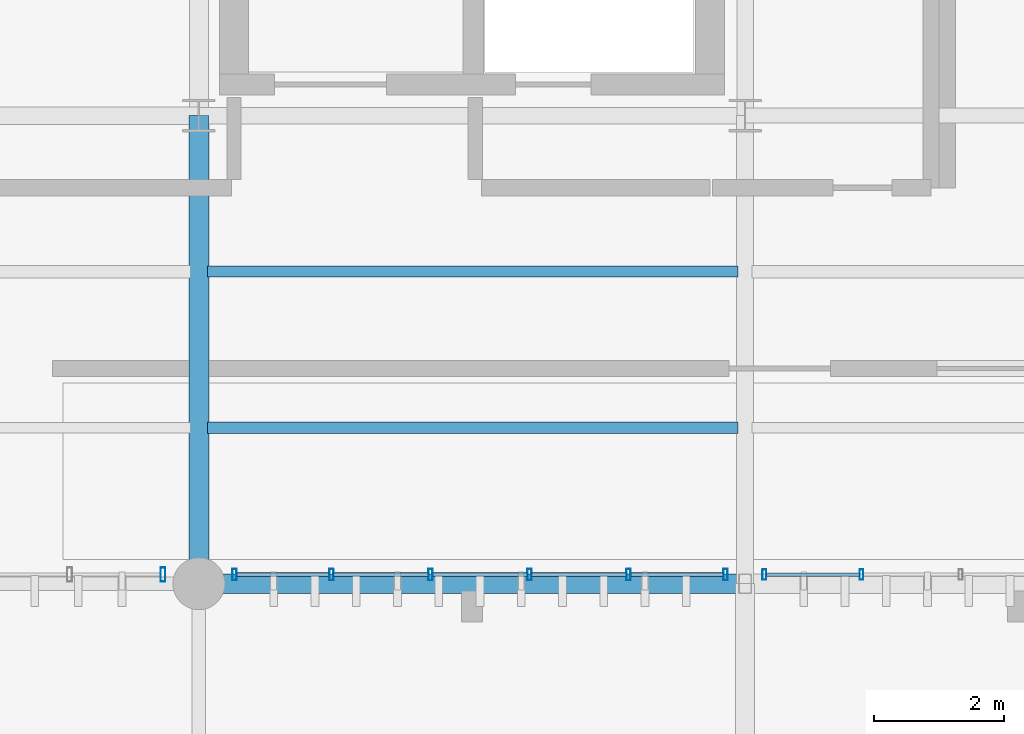
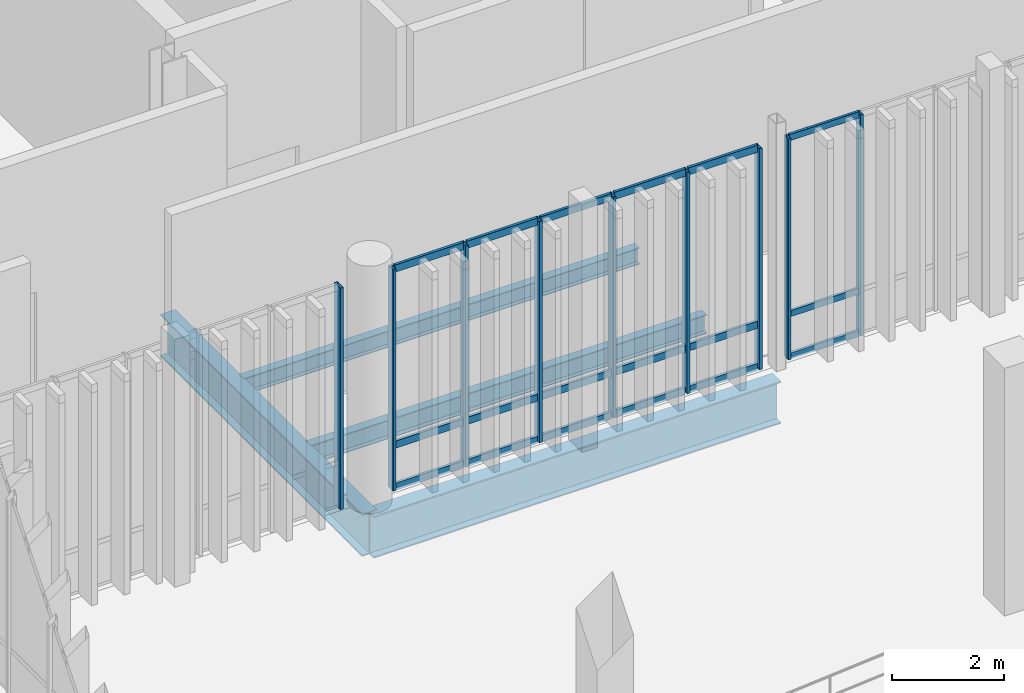
# One storey, part 35 of 112: 27 members, 4 beams, 3 elements without a shape of their own.
"""IFC4 building model written with IfcOpenShell, lengths in metres."""

from ifc_helpers import new_model, si_unit, direction, frame, origin_with_axes, origin_2d_with_axis, place, context, subcontext, project, spatial, hollow_rectangle, i_section, extrude, material, material_profile, profile_set, type_object, element, aggregate, save


model = new_model("IFC4")

# Units and contexts
model_context = context("Model", 3, precision=1e-05, world=origin_with_axes(), true_north=direction((0.0, 1.0)))
body_context = subcontext(model_context, "Body", "Model", "MODEL_VIEW")
ifc_project = project(units=[si_unit("LENGTHUNIT", "METRE"), si_unit("AREAUNIT", "SQUARE_METRE"), si_unit("VOLUMEUNIT", "CUBIC_METRE"), si_unit("PLANEANGLEUNIT", "RADIAN"), si_unit("MASSUNIT", "GRAM", prefix="KILO"), si_unit("THERMODYNAMICTEMPERATUREUNIT", "KELVIN")], contexts=[model_context])

# Site, building, storey
site_placement = place(None, origin_with_axes())
site = spatial("IfcSite", under=ifc_project, at=site_placement, CompositionType="ELEMENT")
building_placement = place(site_placement, origin_with_axes())
building = spatial("IfcBuilding", under=site, at=building_placement, Name="Montbau Bow Law Courts", CompositionType="ELEMENT")
storey_placement = place(building_placement, origin_with_axes())
storey = spatial("IfcBuildingStorey", under=building, at=storey_placement, Name="L00", CompositionType="ELEMENT", Elevation=0.0)

# Beams
ifc_material_1 = material(Name="Steel CSA G40.21 Grade 350W (350 MPa)", Category="steel")
ifc_material_profile_1 = material_profile(ifc_material_1, i_section(OverallWidth=0.306, OverallDepth=0.919, WebThickness=0.0173, FlangeThickness=0.0279, at=origin_2d_with_axis()), Name="W920X253", Category="Main", Priority=0)
ifc_profile_set_1 = profile_set([ifc_material_profile_1], Name="Steel CSA G40.21 Grade 350W (350 MPa)")
beam_type_1 = type_object("IfcBeamType", Name="B-FLR-01", PredefinedType="BEAM", material=ifc_profile_set_1)
beam_1_placement = place(None, frame((55.2, 39.0, -0.7), z_axis=(1.0, 0.0, 0.0), x_axis=(0.0, 1.0, 0.0)))
element("IfcBeam", 1, at=beam_1_placement, inside=storey, type_object=beam_type_1, Name="BM-L00-S0189:bm2_0192", PredefinedType="BEAM", context=body_context, shape_type="SweptSolid", body=[
    extrude(i_section(OverallWidth=0.306, OverallDepth=0.919, WebThickness=0.0173, FlangeThickness=0.0279, at=origin_2d_with_axis()), origin_with_axes(), (0.0, 0.0, 1.0), 8.4),
])
beam_2_placement = place(None, frame((55.2, 39.0, -0.7), z_axis=(0.0, 1.0, 0.0), x_axis=(-1.0, 0.0, 0.0)))
element("IfcBeam", 2, at=beam_2_placement, inside=storey, type_object=beam_type_1, Name="BM-L00-S0277:bm2_0280", PredefinedType="BEAM", context=body_context, shape_type="SweptSolid", body=[
    extrude(i_section(OverallWidth=0.306, OverallDepth=0.919, WebThickness=0.0173, FlangeThickness=0.0279, at=origin_2d_with_axis()), origin_with_axes(), (0.0, 0.0, 1.0), 7.2),
])
ifc_material_profile_2 = material_profile(ifc_material_1, i_section(OverallWidth=0.179, OverallDepth=0.41, WebThickness=0.0088, FlangeThickness=0.0144, at=origin_2d_with_axis()), Name="W410X67", Category="Main", Priority=0)
ifc_profile_set_2 = profile_set([ifc_material_profile_2], Name="Steel CSA G40.21 Grade 350W (350 MPa)")
beam_type_2 = type_object("IfcBeamType", Name="B-JST-02", PredefinedType="JOIST", material=ifc_profile_set_2)
beam_3_placement = place(None, frame((55.329, 41.4, -0.445), z_axis=(1.0, 0.0, 0.0), x_axis=(0.0, 1.0, 0.0)))
element("IfcBeam", 3, at=beam_3_placement, inside=storey, type_object=beam_type_2, Name="JST-L00-S0057:jst2_0057", PredefinedType="JOIST", context=body_context, shape_type="SweptSolid", body=[
    extrude(i_section(OverallWidth=0.179, OverallDepth=0.41, WebThickness=0.0088, FlangeThickness=0.0144, at=origin_2d_with_axis()), origin_with_axes(), (0.0, 0.0, 1.0), 8.162),
])
ifc_material_profile_3 = material_profile(ifc_material_1, i_section(OverallWidth=0.172, OverallDepth=0.358, WebThickness=0.0079, FlangeThickness=0.0131, at=origin_2d_with_axis()), Name="W360X57", Category="Main", Priority=0)
ifc_profile_set_3 = profile_set([ifc_material_profile_3], Name="Steel CSA G40.21 Grade 350W (350 MPa)")
beam_type_3 = type_object("IfcBeamType", Name="B-JST-03", PredefinedType="JOIST", material=ifc_profile_set_3)
beam_4_placement = place(None, frame((55.329, 43.8, -0.419), z_axis=(1.0, 0.0, 0.0), x_axis=(0.0, 1.0, 0.0)))
element("IfcBeam", 4, at=beam_4_placement, inside=storey, type_object=beam_type_3, Name="JST-L00-S0058:jst2_0058", PredefinedType="JOIST", context=body_context, shape_type="SweptSolid", body=[
    extrude(i_section(OverallWidth=0.172, OverallDepth=0.358, WebThickness=0.0079, FlangeThickness=0.0131, at=origin_2d_with_axis()), origin_with_axes(), (0.0, 0.0, 1.0), 8.162),
])

# Curtain wall, member
ifc_material_2 = material(Name="Thermally Broken Extruded Aluminium AA 6063-T6", Category="aluminium")
curtain_wall_type = type_object("IfcCurtainWallType", Name="CW-CRM-01", PredefinedType="NOTDEFINED", material=ifc_material_2)
curtain_wall_1_placement = place(None, frame((47.315, 39.14, 0.0), z_axis=(0.0, 0.0, 1.0), x_axis=(1.0, 0.0, 0.0)))
curtain_wall_1 = element("IfcCurtainWall", 5, at=curtain_wall_1_placement, inside=storey, type_object=curtain_wall_type, Name="CW-L00-123:cw_0123", PredefinedType="NOTDEFINED")
ifc_material_profile_4 = material_profile(ifc_material_2, hollow_rectangle(XDim=0.075, YDim=0.22, WallThickness=0.005, InnerFilletRadius=0.01, OuterFilletRadius=0.005, at=origin_2d_with_axis()), Name="CWM-220X75", Category="Main", Priority=0)
ifc_profile_set_4 = profile_set([ifc_material_profile_4], Name="Thermally Broken Extruded Aluminium AA 6063-T6")
member_type_1 = type_object("IfcMemberType", Name="M-MUL-01", PredefinedType="MULLION", material=ifc_profile_set_4)
member_1_placement = place(None, frame((54.648, 39.14, 0.0), z_axis=(0.0, 0.0, 1.0), x_axis=(1.0, 0.0, 0.0)))
member_1 = element("IfcMember", 6, at=member_1_placement, type_object=member_type_1, Name="CW-L00-123-M06:cw_0123_M06", PredefinedType="MULLION", context=body_context, shape_type="SweptSolid", body=[
    extrude(hollow_rectangle(XDim=0.075, YDim=0.22, WallThickness=0.005, InnerFilletRadius=0.01, OuterFilletRadius=0.005, at=origin_2d_with_axis()), origin_with_axes(), (0.0, 0.0, 1.0), 4.82),
])
aggregate(curtain_wall_1, [member_1])

# Curtain wall, members
curtain_wall_2_placement = place(None, frame((55.715, 39.14, 0.0), z_axis=(0.0, 0.0, 1.0), x_axis=(1.0, 0.0, 0.0)))
curtain_wall_2 = element("IfcCurtainWall", 7, at=curtain_wall_2_placement, inside=storey, type_object=curtain_wall_type, Name="CW-L00-124:cw_0124", PredefinedType="NOTDEFINED")
ifc_material_profile_5 = material_profile(ifc_material_2, hollow_rectangle(XDim=0.065, YDim=0.18, WallThickness=0.005, InnerFilletRadius=0.01, OuterFilletRadius=0.005, at=origin_2d_with_axis()), Name="CWM-180X65", Category="Main", Priority=0)
ifc_profile_set_5 = profile_set([ifc_material_profile_5], Name="Thermally Broken Extruded Aluminium AA 6063-T6")
member_type_2 = type_object("IfcMemberType", Name="M-MUL-02", PredefinedType="MULLION", material=ifc_profile_set_5)
member_2_placement = place(None, frame((55.748, 39.14, 0.0), z_axis=(0.0, 0.0, 1.0), x_axis=(1.0, 0.0, 0.0)))
member_2 = element("IfcMember", 8, at=member_2_placement, type_object=member_type_2, Name="CW-L00-124-M01:cw_0124_M01", PredefinedType="MULLION", context=body_context, shape_type="SweptSolid", body=[
    extrude(hollow_rectangle(XDim=0.065, YDim=0.18, WallThickness=0.005, InnerFilletRadius=0.01, OuterFilletRadius=0.005, at=origin_2d_with_axis()), origin_with_axes(), (0.0, 0.0, 1.0), 4.82),
])
member_3_placement = place(None, frame((57.238, 39.14, 0.0), z_axis=(0.0, 0.0, 1.0), x_axis=(1.0, 0.0, 0.0)))
member_3 = element("IfcMember", 9, at=member_3_placement, type_object=member_type_2, Name="CW-L00-124-M02:cw_0124_M02", PredefinedType="MULLION", context=body_context, shape_type="SweptSolid", body=[
    extrude(hollow_rectangle(XDim=0.065, YDim=0.18, WallThickness=0.005, InnerFilletRadius=0.01, OuterFilletRadius=0.005, at=origin_2d_with_axis()), origin_with_axes(), (0.0, 0.0, 1.0), 4.82),
])
member_4_placement = place(None, frame((58.762, 39.14, 0.0), z_axis=(0.0, 0.0, 1.0), x_axis=(1.0, 0.0, 0.0)))
member_4 = element("IfcMember", 10, at=member_4_placement, type_object=member_type_2, Name="CW-L00-124-M03:cw_0124_M03", PredefinedType="MULLION", context=body_context, shape_type="SweptSolid", body=[
    extrude(hollow_rectangle(XDim=0.065, YDim=0.18, WallThickness=0.005, InnerFilletRadius=0.01, OuterFilletRadius=0.005, at=origin_2d_with_axis()), origin_with_axes(), (0.0, 0.0, 1.0), 4.82),
])
member_5_placement = place(None, frame((60.285, 39.14, 0.0), z_axis=(0.0, 0.0, 1.0), x_axis=(1.0, 0.0, 0.0)))
member_5 = element("IfcMember", 11, at=member_5_placement, type_object=member_type_2, Name="CW-L00-124-M04:cw_0124_M04", PredefinedType="MULLION", context=body_context, shape_type="SweptSolid", body=[
    extrude(hollow_rectangle(XDim=0.065, YDim=0.18, WallThickness=0.005, InnerFilletRadius=0.01, OuterFilletRadius=0.005, at=origin_2d_with_axis()), origin_with_axes(), (0.0, 0.0, 1.0), 4.82),
])
member_6_placement = place(None, frame((61.809, 39.14, 0.0), z_axis=(0.0, 0.0, 1.0), x_axis=(1.0, 0.0, 0.0)))
member_6 = element("IfcMember", 12, at=member_6_placement, type_object=member_type_2, Name="CW-L00-124-M05:cw_0124_M05", PredefinedType="MULLION", context=body_context, shape_type="SweptSolid", body=[
    extrude(hollow_rectangle(XDim=0.065, YDim=0.18, WallThickness=0.005, InnerFilletRadius=0.01, OuterFilletRadius=0.005, at=origin_2d_with_axis()), origin_with_axes(), (0.0, 0.0, 1.0), 4.82),
])
member_7_placement = place(None, frame((63.299, 39.14, 0.0), z_axis=(0.0, 0.0, 1.0), x_axis=(1.0, 0.0, 0.0)))
member_7 = element("IfcMember", 13, at=member_7_placement, type_object=member_type_2, Name="CW-L00-124-M06:cw_0124_M06", PredefinedType="MULLION", context=body_context, shape_type="SweptSolid", body=[
    extrude(hollow_rectangle(XDim=0.065, YDim=0.18, WallThickness=0.005, InnerFilletRadius=0.01, OuterFilletRadius=0.005, at=origin_2d_with_axis()), origin_with_axes(), (0.0, 0.0, 1.0), 4.82),
])

curtain_wall_3_placement = place(None, frame((63.868, 39.14, 0.0), z_axis=(0.0, 0.0, 1.0), x_axis=(1.0, 0.0, 0.0)))
curtain_wall_3 = element("IfcCurtainWall", 14, at=curtain_wall_3_placement, inside=storey, type_object=curtain_wall_type, Name="CW-L00-125:cw_0125", PredefinedType="NOTDEFINED")
ifc_material_profile_6 = material_profile(ifc_material_2, hollow_rectangle(XDim=0.06, YDim=0.16, WallThickness=0.004, InnerFilletRadius=0.008, OuterFilletRadius=0.004, at=origin_2d_with_axis()), Name="CWM-160X60", Category="Main", Priority=0)
ifc_profile_set_6 = profile_set([ifc_material_profile_6], Name="Thermally Broken Extruded Aluminium AA 6063-T6")
member_type_3 = type_object("IfcMemberType", Name="M-MUL-03", PredefinedType="MULLION", material=ifc_profile_set_6)
member_8_placement = place(None, frame((63.898, 39.14, 0.0), z_axis=(0.0, 0.0, 1.0), x_axis=(1.0, 0.0, 0.0)))
member_8 = element("IfcMember", 15, at=member_8_placement, type_object=member_type_3, Name="CW-L00-125-M01:cw_0125_M01", PredefinedType="MULLION", context=body_context, shape_type="SweptSolid", body=[
    extrude(hollow_rectangle(XDim=0.06, YDim=0.16, WallThickness=0.004, InnerFilletRadius=0.008, OuterFilletRadius=0.004, at=origin_2d_with_axis()), origin_with_axes(), (0.0, 0.0, 1.0), 4.82),
])
member_9_placement = place(None, frame((65.391, 39.14, 0.0), z_axis=(0.0, 0.0, 1.0), x_axis=(1.0, 0.0, 0.0)))
member_9 = element("IfcMember", 16, at=member_9_placement, type_object=member_type_3, Name="CW-L00-125-M02:cw_0125_M02", PredefinedType="MULLION", context=body_context, shape_type="SweptSolid", body=[
    extrude(hollow_rectangle(XDim=0.06, YDim=0.16, WallThickness=0.004, InnerFilletRadius=0.008, OuterFilletRadius=0.004, at=origin_2d_with_axis()), origin_with_axes(), (0.0, 0.0, 1.0), 4.82),
])

# Member
ifc_material_profile_7 = material_profile(ifc_material_2, hollow_rectangle(XDim=0.06, YDim=0.16, WallThickness=0.004, InnerFilletRadius=0.008, OuterFilletRadius=0.004, at=origin_2d_with_axis()), Name="CWT-160X60", Category="Main", Priority=0)
ifc_profile_set_7 = profile_set([ifc_material_profile_7], Name="Thermally Broken Extruded Aluminium AA 6063-T6")
member_type_4 = type_object("IfcMemberType", Name="M-TRN-01", PredefinedType="USERDEFINED", material=ifc_profile_set_7)
member_10_placement = place(None, frame((55.783, 39.14, 0.03), z_axis=(1.0, 0.0, 0.0), x_axis=(0.0, 1.0, 0.0)))
member_10 = element("IfcMember", 17, at=member_10_placement, type_object=member_type_4, Name="CW-L00-124-T01-1:cw_0124_T01_1", ObjectType="TRANSOM", PredefinedType="USERDEFINED", context=body_context, shape_type="SweptSolid", body=[
    extrude(hollow_rectangle(XDim=0.06, YDim=0.16, WallThickness=0.004, InnerFilletRadius=0.008, OuterFilletRadius=0.004, at=origin_2d_with_axis()), origin_with_axes(), (0.0, 0.0, 1.0), 1.42),
])

member_11_placement = place(None, frame((55.783, 39.14, 0.95), z_axis=(1.0, 0.0, 0.0), x_axis=(0.0, 1.0, 0.0)))
member_11 = element("IfcMember", 18, at=member_11_placement, type_object=member_type_4, Name="CW-L00-124-T01-2:cw_0124_T01_2", ObjectType="TRANSOM", PredefinedType="USERDEFINED", context=body_context, shape_type="SweptSolid", body=[
    extrude(hollow_rectangle(XDim=0.06, YDim=0.16, WallThickness=0.004, InnerFilletRadius=0.008, OuterFilletRadius=0.004, at=origin_2d_with_axis()), origin_with_axes(), (0.0, 0.0, 1.0), 1.42),
])

member_12_placement = place(None, frame((55.783, 39.14, 4.79), z_axis=(1.0, 0.0, 0.0), x_axis=(0.0, 1.0, 0.0)))
member_12 = element("IfcMember", 19, at=member_12_placement, type_object=member_type_4, Name="CW-L00-124-T01-3:cw_0124_T01_3", ObjectType="TRANSOM", PredefinedType="USERDEFINED", context=body_context, shape_type="SweptSolid", body=[
    extrude(hollow_rectangle(XDim=0.06, YDim=0.16, WallThickness=0.004, InnerFilletRadius=0.008, OuterFilletRadius=0.004, at=origin_2d_with_axis()), origin_with_axes(), (0.0, 0.0, 1.0), 1.42),
])

member_13_placement = place(None, frame((57.272, 39.14, 0.03), z_axis=(1.0, 0.0, 0.0), x_axis=(0.0, 1.0, 0.0)))
member_13 = element("IfcMember", 20, at=member_13_placement, type_object=member_type_4, Name="CW-L00-124-T02-1:cw_0124_T02_1", ObjectType="TRANSOM", PredefinedType="USERDEFINED", context=body_context, shape_type="SweptSolid", body=[
    extrude(hollow_rectangle(XDim=0.06, YDim=0.16, WallThickness=0.004, InnerFilletRadius=0.008, OuterFilletRadius=0.004, at=origin_2d_with_axis()), origin_with_axes(), (0.0, 0.0, 1.0), 1.456),
])

member_14_placement = place(None, frame((57.272, 39.14, 0.95), z_axis=(1.0, 0.0, 0.0), x_axis=(0.0, 1.0, 0.0)))
member_14 = element("IfcMember", 21, at=member_14_placement, type_object=member_type_4, Name="CW-L00-124-T02-2:cw_0124_T02_2", ObjectType="TRANSOM", PredefinedType="USERDEFINED", context=body_context, shape_type="SweptSolid", body=[
    extrude(hollow_rectangle(XDim=0.06, YDim=0.16, WallThickness=0.004, InnerFilletRadius=0.008, OuterFilletRadius=0.004, at=origin_2d_with_axis()), origin_with_axes(), (0.0, 0.0, 1.0), 1.456),
])

member_15_placement = place(None, frame((57.272, 39.14, 4.79), z_axis=(1.0, 0.0, 0.0), x_axis=(0.0, 1.0, 0.0)))
member_15 = element("IfcMember", 22, at=member_15_placement, type_object=member_type_4, Name="CW-L00-124-T02-3:cw_0124_T02_3", ObjectType="TRANSOM", PredefinedType="USERDEFINED", context=body_context, shape_type="SweptSolid", body=[
    extrude(hollow_rectangle(XDim=0.06, YDim=0.16, WallThickness=0.004, InnerFilletRadius=0.008, OuterFilletRadius=0.004, at=origin_2d_with_axis()), origin_with_axes(), (0.0, 0.0, 1.0), 1.456),
])

member_16_placement = place(None, frame((58.797, 39.14, 0.03), z_axis=(1.0, 0.0, 0.0), x_axis=(0.0, 1.0, 0.0)))
member_16 = element("IfcMember", 23, at=member_16_placement, type_object=member_type_4, Name="CW-L00-124-T03-1:cw_0124_T03_1", ObjectType="TRANSOM", PredefinedType="USERDEFINED", context=body_context, shape_type="SweptSolid", body=[
    extrude(hollow_rectangle(XDim=0.06, YDim=0.16, WallThickness=0.004, InnerFilletRadius=0.008, OuterFilletRadius=0.004, at=origin_2d_with_axis()), origin_with_axes(), (0.0, 0.0, 1.0), 1.454),
])

member_17_placement = place(None, frame((58.797, 39.14, 0.95), z_axis=(1.0, 0.0, 0.0), x_axis=(0.0, 1.0, 0.0)))
member_17 = element("IfcMember", 24, at=member_17_placement, type_object=member_type_4, Name="CW-L00-124-T03-2:cw_0124_T03_2", ObjectType="TRANSOM", PredefinedType="USERDEFINED", context=body_context, shape_type="SweptSolid", body=[
    extrude(hollow_rectangle(XDim=0.06, YDim=0.16, WallThickness=0.004, InnerFilletRadius=0.008, OuterFilletRadius=0.004, at=origin_2d_with_axis()), origin_with_axes(), (0.0, 0.0, 1.0), 1.454),
])

member_18_placement = place(None, frame((58.797, 39.14, 4.79), z_axis=(1.0, 0.0, 0.0), x_axis=(0.0, 1.0, 0.0)))
member_18 = element("IfcMember", 25, at=member_18_placement, type_object=member_type_4, Name="CW-L00-124-T03-3:cw_0124_T03_3", ObjectType="TRANSOM", PredefinedType="USERDEFINED", context=body_context, shape_type="SweptSolid", body=[
    extrude(hollow_rectangle(XDim=0.06, YDim=0.16, WallThickness=0.004, InnerFilletRadius=0.008, OuterFilletRadius=0.004, at=origin_2d_with_axis()), origin_with_axes(), (0.0, 0.0, 1.0), 1.454),
])

member_19_placement = place(None, frame((60.319, 39.14, 0.03), z_axis=(1.0, 0.0, 0.0), x_axis=(0.0, 1.0, 0.0)))
member_19 = element("IfcMember", 26, at=member_19_placement, type_object=member_type_4, Name="CW-L00-124-T04-1:cw_0124_T04_1", ObjectType="TRANSOM", PredefinedType="USERDEFINED", context=body_context, shape_type="SweptSolid", body=[
    extrude(hollow_rectangle(XDim=0.06, YDim=0.16, WallThickness=0.004, InnerFilletRadius=0.008, OuterFilletRadius=0.004, at=origin_2d_with_axis()), origin_with_axes(), (0.0, 0.0, 1.0), 1.456),
])

member_20_placement = place(None, frame((60.319, 39.14, 0.95), z_axis=(1.0, 0.0, 0.0), x_axis=(0.0, 1.0, 0.0)))
member_20 = element("IfcMember", 27, at=member_20_placement, type_object=member_type_4, Name="CW-L00-124-T04-2:cw_0124_T04_2", ObjectType="TRANSOM", PredefinedType="USERDEFINED", context=body_context, shape_type="SweptSolid", body=[
    extrude(hollow_rectangle(XDim=0.06, YDim=0.16, WallThickness=0.004, InnerFilletRadius=0.008, OuterFilletRadius=0.004, at=origin_2d_with_axis()), origin_with_axes(), (0.0, 0.0, 1.0), 1.456),
])

member_21_placement = place(None, frame((60.319, 39.14, 4.79), z_axis=(1.0, 0.0, 0.0), x_axis=(0.0, 1.0, 0.0)))
member_21 = element("IfcMember", 28, at=member_21_placement, type_object=member_type_4, Name="CW-L00-124-T04-3:cw_0124_T04_3", ObjectType="TRANSOM", PredefinedType="USERDEFINED", context=body_context, shape_type="SweptSolid", body=[
    extrude(hollow_rectangle(XDim=0.06, YDim=0.16, WallThickness=0.004, InnerFilletRadius=0.008, OuterFilletRadius=0.004, at=origin_2d_with_axis()), origin_with_axes(), (0.0, 0.0, 1.0), 1.456),
])

member_22_placement = place(None, frame((61.843, 39.14, 0.03), z_axis=(1.0, 0.0, 0.0), x_axis=(0.0, 1.0, 0.0)))
member_22 = element("IfcMember", 29, at=member_22_placement, type_object=member_type_4, Name="CW-L00-124-T05-1:cw_0124_T05_1", ObjectType="TRANSOM", PredefinedType="USERDEFINED", context=body_context, shape_type="SweptSolid", body=[
    extrude(hollow_rectangle(XDim=0.06, YDim=0.16, WallThickness=0.004, InnerFilletRadius=0.008, OuterFilletRadius=0.004, at=origin_2d_with_axis()), origin_with_axes(), (0.0, 0.0, 1.0), 1.422),
])

member_23_placement = place(None, frame((61.843, 39.14, 0.95), z_axis=(1.0, 0.0, 0.0), x_axis=(0.0, 1.0, 0.0)))
member_23 = element("IfcMember", 30, at=member_23_placement, type_object=member_type_4, Name="CW-L00-124-T05-2:cw_0124_T05_2", ObjectType="TRANSOM", PredefinedType="USERDEFINED", context=body_context, shape_type="SweptSolid", body=[
    extrude(hollow_rectangle(XDim=0.06, YDim=0.16, WallThickness=0.004, InnerFilletRadius=0.008, OuterFilletRadius=0.004, at=origin_2d_with_axis()), origin_with_axes(), (0.0, 0.0, 1.0), 1.422),
])

member_24_placement = place(None, frame((61.843, 39.14, 4.79), z_axis=(1.0, 0.0, 0.0), x_axis=(0.0, 1.0, 0.0)))
member_24 = element("IfcMember", 31, at=member_24_placement, type_object=member_type_4, Name="CW-L00-124-T05-3:cw_0124_T05_3", ObjectType="TRANSOM", PredefinedType="USERDEFINED", context=body_context, shape_type="SweptSolid", body=[
    extrude(hollow_rectangle(XDim=0.06, YDim=0.16, WallThickness=0.004, InnerFilletRadius=0.008, OuterFilletRadius=0.004, at=origin_2d_with_axis()), origin_with_axes(), (0.0, 0.0, 1.0), 1.422),
])

aggregate(curtain_wall_2, [member_2, member_3, member_4, member_5, member_6, member_7, member_10, member_11, member_12, member_13, member_14, member_15, member_16, member_17, member_18, member_19, member_20, member_21, member_22, member_23, member_24])

ifc_material_profile_8 = material_profile(ifc_material_2, hollow_rectangle(XDim=0.055, YDim=0.14, WallThickness=0.004, InnerFilletRadius=0.008, OuterFilletRadius=0.004, at=origin_2d_with_axis()), Name="CWT-140X55", Category="Main", Priority=0)
ifc_profile_set_8 = profile_set([ifc_material_profile_8], Name="Thermally Broken Extruded Aluminium AA 6063-T6")
member_type_5 = type_object("IfcMemberType", Name="M-TRN-02", PredefinedType="USERDEFINED", material=ifc_profile_set_8)
member_25_placement = place(None, frame((63.93, 39.14, 0.028), z_axis=(1.0, 0.0, 0.0), x_axis=(0.0, 1.0, 0.0)))
member_25 = element("IfcMember", 32, at=member_25_placement, type_object=member_type_5, Name="CW-L00-125-T01-1:cw_0125_T01_1", ObjectType="TRANSOM", PredefinedType="USERDEFINED", context=body_context, shape_type="SweptSolid", body=[
    extrude(hollow_rectangle(XDim=0.055, YDim=0.14, WallThickness=0.004, InnerFilletRadius=0.008, OuterFilletRadius=0.004, at=origin_2d_with_axis()), origin_with_axes(), (0.0, 0.0, 1.0), 1.429),
])

member_26_placement = place(None, frame((63.93, 39.14, 0.95), z_axis=(1.0, 0.0, 0.0), x_axis=(0.0, 1.0, 0.0)))
member_26 = element("IfcMember", 33, at=member_26_placement, type_object=member_type_5, Name="CW-L00-125-T01-2:cw_0125_T01_2", ObjectType="TRANSOM", PredefinedType="USERDEFINED", context=body_context, shape_type="SweptSolid", body=[
    extrude(hollow_rectangle(XDim=0.055, YDim=0.14, WallThickness=0.004, InnerFilletRadius=0.008, OuterFilletRadius=0.004, at=origin_2d_with_axis()), origin_with_axes(), (0.0, 0.0, 1.0), 1.429),
])

member_27_placement = place(None, frame((63.93, 39.14, 4.793), z_axis=(1.0, 0.0, 0.0), x_axis=(0.0, 1.0, 0.0)))
member_27 = element("IfcMember", 34, at=member_27_placement, type_object=member_type_5, Name="CW-L00-125-T01-3:cw_0125_T01_3", ObjectType="TRANSOM", PredefinedType="USERDEFINED", context=body_context, shape_type="SweptSolid", body=[
    extrude(hollow_rectangle(XDim=0.055, YDim=0.14, WallThickness=0.004, InnerFilletRadius=0.008, OuterFilletRadius=0.004, at=origin_2d_with_axis()), origin_with_axes(), (0.0, 0.0, 1.0), 1.429),
])

aggregate(curtain_wall_3, [member_8, member_9, member_25, member_26, member_27])

save(model, "model.ifc")
